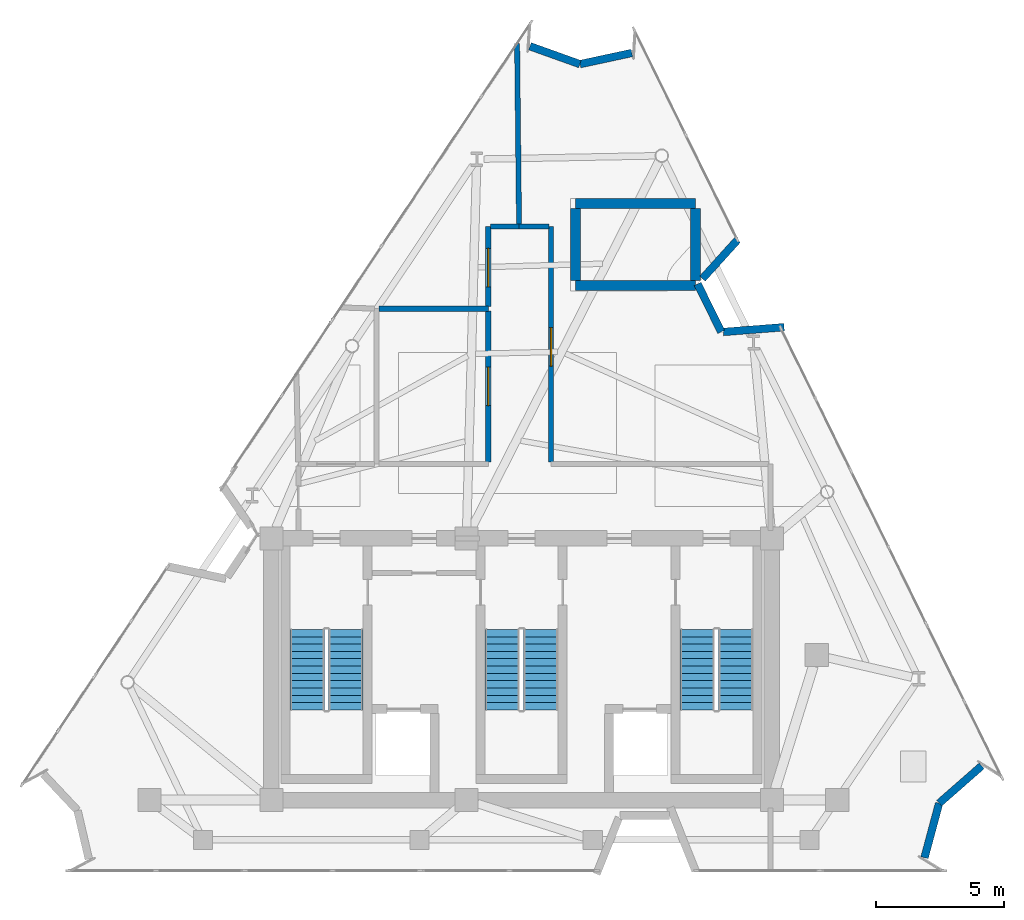
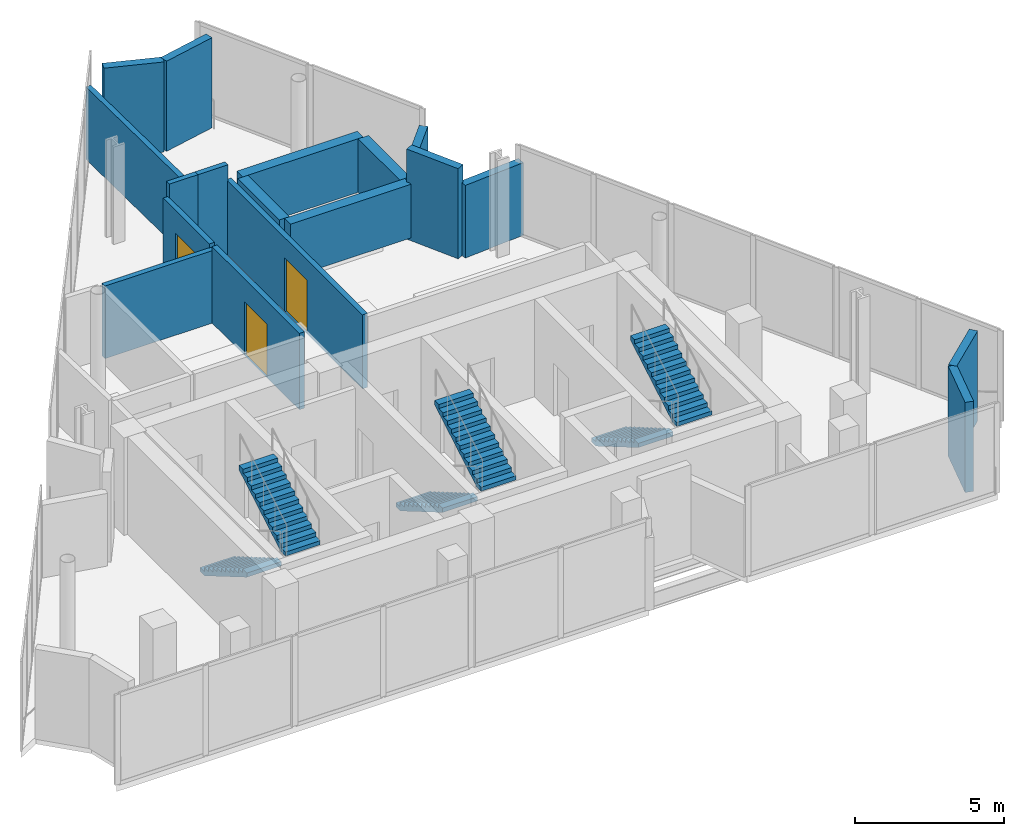
# One storey, part 7 of 9: 18 walls, 6 stair flights, 3 doors, 3 openings, 3 elements without a shape of their own.
"""IFC4 building model written with IfcOpenShell, lengths in metres."""

from ifc_helpers import new_model, si_unit, direction, frame, frame_2d, origin, place, context, subcontext, project, spatial, polyline, rectangle, outline, extrude, material, layer, layer_set, type_object, element, fill, aggregate, save


model = new_model("IFC4")

# Units and contexts
model_context = context("Model", 3, precision=1e-05, world=origin(), true_north=direction((0.0, 1.0)))
body_context = subcontext(model_context, "Body", "Model", "MODEL_VIEW")
ifc_project = project(units=[si_unit("LENGTHUNIT", "METRE"), si_unit("AREAUNIT", "SQUARE_METRE"), si_unit("VOLUMEUNIT", "CUBIC_METRE"), si_unit("PLANEANGLEUNIT", "RADIAN"), si_unit("MASSUNIT", "GRAM", prefix="KILO")], contexts=[model_context])

# Site, building, storey
site_placement = place(None, origin())
site = spatial("IfcSite", under=ifc_project, at=site_placement, CompositionType="ELEMENT")
building_placement = place(site_placement, origin())
building = spatial("IfcBuilding", under=site, at=building_placement, Name="Almagre Mirador Tower", CompositionType="ELEMENT")
storey_placement = place(building_placement, frame((0.0, 0.0, 306.5)))
storey = spatial("IfcBuildingStorey", under=building, at=storey_placement, Name="L79", CompositionType="ELEMENT", Elevation=306.5)

# Walls
ifc_material_1 = material(Name="Precast concrete C50/60", Category="concrete")
ifc_layer_1 = layer(ifc_material_1, 0.300048828125)
ifc_layer_set_1 = layer_set([ifc_layer_1], Name="Precast concrete C50/60")
wall_type_1 = type_object("IfcWallType", Name="WAL-EXT-300", PredefinedType="SOLIDWALL", material=ifc_layer_set_1)
wall_1_placement = place(storey_placement, frame((37.6240234375, 33.927490234375, 0.0), z_axis=(0.0, 0.0, 1.0), x_axis=(0.941672407687, -0.336530944493, 0.0)))
element("IfcWall", 1, at=wall_1_placement, inside=storey, type_object=wall_type_1, Name="L79 expressed almagre precast frame wall 04", PredefinedType="SOLIDWALL", context=body_context, shape_type="SweptSolid", body=[
    extrude(rectangle(XDim=2.06689453125, YDim=0.300048828125, at=frame_2d((1.033447265625, 0.0))), origin(), (0.0, 0.0, 1.0), 3.699951171875),
])
wall_2_placement = place(storey_placement, frame((39.57568359375, 33.231689453125, 0.0), z_axis=(0.0, 0.0, 1.0), x_axis=(0.977608338725, 0.210432735227, 0.0)))
element("IfcWall", 2, at=wall_2_placement, inside=storey, type_object=wall_type_1, Name="L79 expressed almagre precast frame wall 05", PredefinedType="SOLIDWALL", context=body_context, shape_type="SweptSolid", body=[
    extrude(rectangle(XDim=2.06640625, YDim=0.300048828125, at=frame_2d((1.033203125, 0.0))), origin(), (0.0, 0.0, 1.0), 3.699951171875),
])
wall_3_placement = place(storey_placement, frame((45.7119140625, 26.3798828125, 0.0), z_axis=(0.0, 0.0, 1.0), x_axis=(-0.670765663844, -0.741669349648, 0.0)))
element("IfcWall", 3, at=wall_3_placement, inside=storey, type_object=wall_type_1, Name="L79 expressed almagre precast frame wall 06", PredefinedType="SOLIDWALL", context=body_context, shape_type="SweptSolid", body=[
    extrude(rectangle(XDim=2.034912109375, YDim=0.300048828125, at=frame_2d((1.017578125, 0.0))), origin(), (0.0, 0.0, 1.0), 2.98193359375),
])
wall_4_placement = place(storey_placement, frame((44.159423828125, 24.6650390625, 0.0), z_axis=(0.0, 0.0, 1.0), x_axis=(0.441723189354, -0.897151394129, 0.0)))
element("IfcWall", 4, at=wall_4_placement, inside=storey, type_object=wall_type_1, Name="L79 expressed almagre precast frame wall 07", PredefinedType="SOLIDWALL", context=body_context, shape_type="SweptSolid", body=[
    extrude(rectangle(XDim=2.084228515625, YDim=0.300048828125, at=frame_2d((1.0419921875, 0.0))), origin(), (0.0, 0.0, 1.0), 3.699951171875),
])
wall_5_placement = place(storey_placement, frame((45.16455078125, 22.79541015625, 0.0), z_axis=(0.0, 0.0, 1.0), x_axis=(0.996933339495, 0.078255457345, 0.0)))
element("IfcWall", 5, at=wall_5_placement, inside=storey, type_object=wall_type_1, Name="L79 expressed almagre precast frame wall 08", PredefinedType="SOLIDWALL", context=body_context, shape_type="SweptSolid", body=[
    extrude(rectangle(XDim=2.37109375, YDim=0.300048828125, at=frame_2d((1.185546875, 0.0))), origin(), (0.0, 0.0, 1.0), 2.98193359375),
])
wall_6_placement = place(storey_placement, frame((55.227294921875, 5.884033203125, 0.0), z_axis=(0.0, 0.0, 1.0), x_axis=(-0.751785184768, -0.659408095161, 0.0)))
element("IfcWall", 6, at=wall_6_placement, inside=storey, type_object=wall_type_1, Name="L79 expressed almagre precast frame wall 09", PredefinedType="SOLIDWALL", context=body_context, shape_type="SweptSolid", body=[
    extrude(rectangle(XDim=2.198974609375, YDim=0.300048828125, at=frame_2d((1.099609375, 0.0))), origin(), (0.0, 0.0, 1.0), 3.699951171875),
])
wall_7_placement = place(storey_placement, frame((53.5712890625, 4.42919921875, 0.0), z_axis=(0.0, 0.0, 1.0), x_axis=(-0.259846037112, -0.965650059285, 0.0)))
element("IfcWall", 7, at=wall_7_placement, inside=storey, type_object=wall_type_1, Name="L79 expressed almagre precast frame wall 10", PredefinedType="SOLIDWALL", context=body_context, shape_type="SweptSolid", body=[
    extrude(rectangle(XDim=2.198486328125, YDim=0.300048828125, at=frame_2d((1.09912109375, 0.0))), origin(), (0.0, 0.0, 1.0), 3.699951171875),
])
ifc_material_2 = material(Name="Gypsum acoustic stud partition", Category="other")
ifc_layer_2 = layer(ifc_material_2, 0.199951171875)
ifc_layer_set_2 = layer_set([ifc_layer_2], Name="Gypsum acoustic stud partition")
wall_type_2 = type_object("IfcWallType", Name="WAL-PRT-200-EI60", PredefinedType="PARTITIONING", material=ifc_layer_set_2)
wall_8_placement = place(storey_placement, frame((36.0, 23.699951171875, 0.0), z_axis=(0.0, 0.0, 1.0), x_axis=(-1.0, 0.0, 0.0)))
element("IfcWall", 8, at=wall_8_placement, inside=storey, type_object=wall_type_2, Name="L79 interior partition 005", PredefinedType="PARTITIONING", context=body_context, shape_type="SweptSolid", body=[
    extrude(rectangle(XDim=4.264892578125, YDim=0.199951171875, at=frame_2d((2.13232421875, 0.0))), origin(), (0.0, 0.0, 1.0), 2.97705078125),
])

# Wall, opening, door
wall_9_placement = place(storey_placement, frame((36.0, 17.735107421875, 0.0), z_axis=(0.0, 0.0, 1.0), x_axis=(0.0, 1.0, 0.0)))
wall_9 = element("IfcWall", 9, at=wall_9_placement, inside=storey, type_object=wall_type_2, Name="L79 interior partition 007", PredefinedType="PARTITIONING", context=body_context, shape_type="SweptSolid", body=[
    extrude(rectangle(XDim=5.8798828125, YDim=0.199951171875, at=frame_2d((2.93994140625, 0.0))), origin(), (0.0, 0.0, 1.0), 3.136962890625),
])
opening_1_placement = place(wall_9_placement, frame((2.18994140625, 0.0, 0.0)))
opening_1 = element("IfcOpeningElement", 10, at=opening_1_placement, cuts=wall_9, Name="Opening ID-04", PredefinedType="OPENING", context=body_context, shape_type="SweptSolid", body=[
    extrude(rectangle(XDim=1.5, YDim=2.199951171875, at=frame_2d((0.75, 1.10009765625))), frame((0.0, 0.110098, 0.0), z_axis=(0.0, -1.0, 0.0), x_axis=(1.0, 0.0, 0.0)), (0.0, 0.0, 1.0), 0.219951),
])
ifc_material_3 = material(Name="Fire-rated hollow steel", Category="steel")
door_type = type_object("IfcDoorType", Name="DOR-FD60-1500X2200", OperationType="DOUBLE_DOOR_SINGLE_SWING", PredefinedType="DOOR", material=ifc_material_3)
door_1_placement = place(opening_1_placement, origin())
door_1 = element("IfcDoor", 11, at=door_1_placement, inside=storey, type_object=door_type, Name="DR-2324 L79 interior door L79-KPLT2 to L79-KCOR", OperationType="DOUBLE_DOOR_SINGLE_SWING", OverallHeight=2.199951171875, OverallWidth=1.5, PredefinedType="DOOR", context=body_context, shape_type="SweptSolid", body=[
    extrude(rectangle(XDim=1.5, YDim=2.199951171875, at=frame_2d((0.75, 1.10009765625))), frame((0.0, 0.02490234375, 0.0), z_axis=(0.0, -1.0, 0.0), x_axis=(1.0, 0.0, 0.0)), (0.0, 0.0, 1.0), 0.050048828125),
])
fill(opening_1, door_1)

wall_10_placement = place(storey_placement, frame((36.0, 23.784912109375, 0.0), z_axis=(0.0, 0.0, 1.0), x_axis=(0.0, 1.0, 0.0)))
wall_10 = element("IfcWall", 12, at=wall_10_placement, inside=storey, type_object=wall_type_2, Name="L79 interior partition 008", PredefinedType="PARTITIONING", context=body_context, shape_type="SweptSolid", body=[
    extrude(rectangle(XDim=3.114990234375, YDim=0.199951171875, at=frame_2d((1.5576171875, 0.0))), origin(), (0.0, 0.0, 1.0), 3.136962890625),
])
opening_2_placement = place(wall_10_placement, frame((0.764892578125, 0.0, 0.0)))
opening_2 = element("IfcOpeningElement", 13, at=opening_2_placement, cuts=wall_10, Name="Opening ID-04", PredefinedType="OPENING", context=body_context, shape_type="SweptSolid", body=[
    extrude(rectangle(XDim=1.5, YDim=2.199951171875, at=frame_2d((0.75, 1.10009765625))), frame((0.0, 0.110098, 0.0), z_axis=(0.0, -1.0, 0.0), x_axis=(1.0, 0.0, 0.0)), (0.0, 0.0, 1.0), 0.219951),
])
door_2_placement = place(opening_2_placement, origin())
door_2 = element("IfcDoor", 14, at=door_2_placement, inside=storey, type_object=door_type, Name="DR-2327 L79 interior door L79-KTLD to L79-KCOR", OperationType="DOUBLE_DOOR_SINGLE_SWING", OverallHeight=2.199951171875, OverallWidth=1.5, PredefinedType="DOOR", context=body_context, shape_type="SweptSolid", body=[
    extrude(rectangle(XDim=1.5, YDim=2.199951171875, at=frame_2d((0.75, 1.10009765625))), frame((0.0, 0.02490234375, 0.0), z_axis=(0.0, -1.0, 0.0), x_axis=(1.0, 0.0, 0.0)), (0.0, 0.0, 1.0), 0.050048828125),
])
fill(opening_2, door_2)

# Walls
wall_11_placement = place(storey_placement, frame((36.0849609375, 26.89990234375, 0.0), z_axis=(0.0, 0.0, 1.0), x_axis=(1.0, 0.0, 0.0)))
element("IfcWall", 15, at=wall_11_placement, inside=storey, type_object=wall_type_2, Name="L79 interior partition 009", PredefinedType="PARTITIONING", context=body_context, shape_type="SweptSolid", body=[
    extrude(rectangle(XDim=1.114990234375, YDim=0.199951171875, at=frame_2d((0.5576171875, 0.0))), origin(), (0.0, 0.0, 1.0), 3.699951171875),
])
wall_12_placement = place(storey_placement, frame((37.19921875, 26.985107421875, 0.0), z_axis=(0.0, 0.0, 1.0), x_axis=(-0.010656465563, 0.999943218259, 0.0)))
element("IfcWall", 16, at=wall_12_placement, inside=storey, type_object=wall_type_2, Name="L79 interior partition 010", PredefinedType="PARTITIONING", context=body_context, shape_type="SweptSolid", body=[
    extrude(rectangle(XDim=7.056396484375, YDim=0.199951171875, at=frame_2d((3.5283203125, 0.0))), origin(), (0.0, 0.0, 1.0), 2.97705078125),
])

# Wall, opening, door
wall_13_placement = place(storey_placement, frame((38.449951171875, 17.735107421875, 0.0), z_axis=(0.0, 0.0, 1.0), x_axis=(0.0, 1.0, 0.0)))
wall_13 = element("IfcWall", 17, at=wall_13_placement, inside=storey, type_object=wall_type_2, Name="L79 interior partition 016", PredefinedType="PARTITIONING", context=body_context, shape_type="SweptSolid", body=[
    extrude(rectangle(XDim=9.164794921875, YDim=0.199951171875, at=frame_2d((4.58251953125, 0.0))), origin(), (0.0, 0.0, 1.0), 3.034912109375),
])
opening_3_placement = place(wall_13_placement, frame((3.730712890625, 0.0, 0.0)))
opening_3 = element("IfcOpeningElement", 18, at=opening_3_placement, cuts=wall_13, Name="Opening ID-04", PredefinedType="OPENING", context=body_context, shape_type="SweptSolid", body=[
    extrude(rectangle(XDim=1.5, YDim=2.199951171875, at=frame_2d((0.75, 1.10009765625))), frame((0.0, 0.110098, 0.0), z_axis=(0.0, -1.0, 0.0), x_axis=(1.0, 0.0, 0.0)), (0.0, 0.0, 1.0), 0.219951),
])
door_3_placement = place(opening_3_placement, origin())
door_3 = element("IfcDoor", 19, at=door_3_placement, inside=storey, type_object=door_type, Name="DR-2326 L79 interior door L79-KCOR to L79-KPLT5", OperationType="DOUBLE_DOOR_SINGLE_SWING", OverallHeight=2.199951171875, OverallWidth=1.5, PredefinedType="DOOR", context=body_context, shape_type="SweptSolid", body=[
    extrude(rectangle(XDim=1.5, YDim=2.199951171875, at=frame_2d((0.75, 1.10009765625))), frame((0.0, 0.02490234375, 0.0), z_axis=(0.0, -1.0, 0.0), x_axis=(1.0, 0.0, 0.0)), (0.0, 0.0, 1.0), 0.050048828125),
])
fill(opening_3, door_3)

# Walls
wall_14_placement = place(storey_placement, frame((38.364990234375, 26.89990234375, 0.0), z_axis=(0.0, 0.0, 1.0), x_axis=(-1.0, 0.0, 0.0)))
element("IfcWall", 20, at=wall_14_placement, inside=storey, type_object=wall_type_2, Name="L79 interior partition 017", PredefinedType="PARTITIONING", context=body_context, shape_type="SweptSolid", body=[
    extrude(rectangle(XDim=1.1650390625, YDim=0.199951171875, at=frame_2d((0.58251953125, 0.0))), origin(), (0.0, 0.0, 1.0), 3.699951171875),
])
ifc_material_4 = material(Name="Concrete C50/60", Category="concrete")
ifc_layer_3 = layer(ifc_material_4, 0.39990234375)
ifc_layer_set_3 = layer_set([ifc_layer_3], Name="Concrete C50/60")
wall_type_3 = type_object("IfcWallType", Name="WAL-TLD-400", PredefinedType="SHEAR", material=ifc_layer_set_3)
for number, where, z_axis, x_axis, name in (
    (21, (39.39990234375, 24.60009765625, 0.14990234375), (0.0, 0.0, 1.0), (1.0, 0.0, 0.0), "L79 Crown Tuned Liquid Damper Tank Wall S"),
    (22, (39.39990234375, 27.800048828125, 0.14990234375), (0.0, 0.0, 1.0), (1.0, 0.0, 0.0), "L79 Crown Tuned Liquid Damper Tank Wall N"),
):
    element("IfcWall", number, at=place(storey_placement, frame(where, z_axis=z_axis, x_axis=x_axis)), inside=storey, type_object=wall_type_3, Name=name, PredefinedType="SHEAR", context=body_context, shape_type="SweptSolid", body=[
        extrude(rectangle(XDim=4.676025390625, YDim=0.39990234375, at=frame_2d((2.337890625, 0.0))), origin(), (0.0, 0.0, 1.0), 2.2001953125),
    ])
for number, where, z_axis, x_axis, name in (
    (23, (39.39990234375, 24.800048828125, 0.14990234375), (0.0, 0.0, 1.0), (0.0, 1.0, 0.0), "L79 Crown Tuned Liquid Damper Tank Wall W"),
    (24, (44.075927734375, 24.800048828125, 0.14990234375), (0.0, 0.0, 1.0), (0.0, 1.0, 0.0), "L79 Crown Tuned Liquid Damper Tank Wall E"),
):
    element("IfcWall", number, at=place(storey_placement, frame(where, z_axis=z_axis, x_axis=x_axis)), inside=storey, type_object=wall_type_3, Name=name, PredefinedType="SHEAR", context=body_context, shape_type="SweptSolid", body=[
        extrude(rectangle(XDim=2.800048828125, YDim=0.39990234375, at=frame_2d((1.39990234375, 0.0))), origin(), (0.0, 0.0, 1.0), 2.2001953125),
    ])

# Stair, stair flights
ifc_material_5 = material(Name="Concrete C45/55", Category="concrete")
stair_type = type_object("IfcStairType", Name="STR-DL-4000", PredefinedType="HALF_TURN_STAIR", material=ifc_material_5)
stair_1_placement = place(storey_placement, origin())
stair_1 = element("IfcStair", 25, at=stair_1_placement, inside=storey, type_object=stair_type, Name="L79 Protected exit stair ST-1", PredefinedType="HALF_TURN_STAIR")
ifc_material_6 = material(Name="Concrete C45/55", Category="concrete")
stair_flight_type = type_object("IfcStairFlightType", Name="FLT-DL-4000", PredefinedType="STRAIGHT", material=ifc_material_6)
stair_flight_1_placement = place(storey_placement, frame((28.949951171875, 11.199951171875, 0.0), z_axis=(0.0, 0.0, 1.0), x_axis=(0.0, -1.0, 0.0)))
stair_flight_1 = element("IfcStairFlight", 26, at=stair_flight_1_placement, type_object=stair_flight_type, Name="ST-1 flight 1", NumberOfRisers=12, NumberOfTreads=11, PredefinedType="STRAIGHT", RiserHeight=0.166666667, TreadLength=0.285, context=body_context, shape_type="SweptSolid", body=[
    extrude(outline(polyline([(0.0, 0.0), (0.0, 0.166748046875), (0.284912109375, 0.166748046875), (0.284912109375, 0.333251953125), (0.570068359375, 0.333251953125), (0.570068359375, 0.5), (0.85498046875, 0.5), (0.85498046875, 0.666748046875), (1.139892578125, 0.666748046875), (1.139892578125, 0.833251953125), (1.425048828125, 0.833251953125), (1.425048828125, 1.0), (1.7099609375, 1.0), (1.7099609375, 1.166748046875), (1.9951171875, 1.166748046875), (1.9951171875, 1.333251953125), (2.280029296875, 1.333251953125), (2.280029296875, 1.5), (2.56494140625, 1.5), (2.56494140625, 1.666748046875), (2.85009765625, 1.666748046875), (2.85009765625, 1.833251953125), (3.135009765625, 1.833251953125), (3.135009765625, 2.0), (3.135009765625, 1.65966796875), (0.296875, 0.0), (0.0, 0.0)])), frame((0.0, 0.675048828125, 0.0), z_axis=(0.0, -1.0, 0.0), x_axis=(1.0, 0.0, 0.0)), (0.0, 0.0, 1.0), 1.35009765625),
])
stair_flight_2_placement = place(storey_placement, frame((30.449951171875, 8.06494140625, 2.0), z_axis=(0.0, 0.0, 1.0), x_axis=(0.0, 1.0, 0.0)))
stair_flight_2 = element("IfcStairFlight", 27, at=stair_flight_2_placement, type_object=stair_flight_type, Name="ST-1 flight 2", NumberOfRisers=12, NumberOfTreads=11, PredefinedType="STRAIGHT", RiserHeight=0.166666667, TreadLength=0.285, context=body_context, shape_type="SweptSolid", body=[
    extrude(outline(polyline([(0.0, 0.0), (0.0, 0.166748046875), (0.284912109375, 0.166748046875), (0.284912109375, 0.333251953125), (0.570068359375, 0.333251953125), (0.570068359375, 0.5), (0.85498046875, 0.5), (0.85498046875, 0.666748046875), (1.139892578125, 0.666748046875), (1.139892578125, 0.833251953125), (1.425048828125, 0.833251953125), (1.425048828125, 1.0), (1.7099609375, 1.0), (1.7099609375, 1.166748046875), (1.9951171875, 1.166748046875), (1.9951171875, 1.333251953125), (2.280029296875, 1.333251953125), (2.280029296875, 1.5), (2.56494140625, 1.5), (2.56494140625, 1.666748046875), (2.85009765625, 1.666748046875), (2.85009765625, 1.833251953125), (3.135009765625, 1.833251953125), (3.135009765625, 2.0), (3.135009765625, 1.65966796875), (0.296875, 0.0), (0.0, 0.0)])), frame((0.0, 0.675048828125, 0.0), z_axis=(0.0, -1.0, 0.0), x_axis=(1.0, 0.0, 0.0)), (0.0, 0.0, 1.0), 1.35009765625),
])
aggregate(stair_1, [stair_flight_1, stair_flight_2])

stair_2_placement = place(storey_placement, origin())
stair_2 = element("IfcStair", 28, at=stair_2_placement, inside=storey, type_object=stair_type, Name="L79 Protected exit stair ST-2", PredefinedType="HALF_TURN_STAIR")
stair_flight_3_placement = place(storey_placement, frame((36.550048828125, 11.199951171875, 0.0), z_axis=(0.0, 0.0, 1.0), x_axis=(0.0, -1.0, 0.0)))
stair_flight_3 = element("IfcStairFlight", 29, at=stair_flight_3_placement, type_object=stair_flight_type, Name="ST-2 flight 1", NumberOfRisers=12, NumberOfTreads=11, PredefinedType="STRAIGHT", RiserHeight=0.166666667, TreadLength=0.285, context=body_context, shape_type="SweptSolid", body=[
    extrude(outline(polyline([(0.0, 0.0), (0.0, 0.166748046875), (0.284912109375, 0.166748046875), (0.284912109375, 0.333251953125), (0.570068359375, 0.333251953125), (0.570068359375, 0.5), (0.85498046875, 0.5), (0.85498046875, 0.666748046875), (1.139892578125, 0.666748046875), (1.139892578125, 0.833251953125), (1.425048828125, 0.833251953125), (1.425048828125, 1.0), (1.7099609375, 1.0), (1.7099609375, 1.166748046875), (1.9951171875, 1.166748046875), (1.9951171875, 1.333251953125), (2.280029296875, 1.333251953125), (2.280029296875, 1.5), (2.56494140625, 1.5), (2.56494140625, 1.666748046875), (2.85009765625, 1.666748046875), (2.85009765625, 1.833251953125), (3.135009765625, 1.833251953125), (3.135009765625, 2.0), (3.135009765625, 1.65966796875), (0.296875, 0.0), (0.0, 0.0)])), frame((0.0, 0.675048828125, 0.0), z_axis=(0.0, -1.0, 0.0), x_axis=(1.0, 0.0, 0.0)), (0.0, 0.0, 1.0), 1.35009765625),
])
stair_flight_4_placement = place(storey_placement, frame((38.050048828125, 8.06494140625, 2.0), z_axis=(0.0, 0.0, 1.0), x_axis=(0.0, 1.0, 0.0)))
stair_flight_4 = element("IfcStairFlight", 30, at=stair_flight_4_placement, type_object=stair_flight_type, Name="ST-2 flight 2", NumberOfRisers=12, NumberOfTreads=11, PredefinedType="STRAIGHT", RiserHeight=0.166666667, TreadLength=0.285, context=body_context, shape_type="SweptSolid", body=[
    extrude(outline(polyline([(0.0, 0.0), (0.0, 0.166748046875), (0.284912109375, 0.166748046875), (0.284912109375, 0.333251953125), (0.570068359375, 0.333251953125), (0.570068359375, 0.5), (0.85498046875, 0.5), (0.85498046875, 0.666748046875), (1.139892578125, 0.666748046875), (1.139892578125, 0.833251953125), (1.425048828125, 0.833251953125), (1.425048828125, 1.0), (1.7099609375, 1.0), (1.7099609375, 1.166748046875), (1.9951171875, 1.166748046875), (1.9951171875, 1.333251953125), (2.280029296875, 1.333251953125), (2.280029296875, 1.5), (2.56494140625, 1.5), (2.56494140625, 1.666748046875), (2.85009765625, 1.666748046875), (2.85009765625, 1.833251953125), (3.135009765625, 1.833251953125), (3.135009765625, 2.0), (3.135009765625, 1.65966796875), (0.296875, 0.0), (0.0, 0.0)])), frame((0.0, 0.675048828125, 0.0), z_axis=(0.0, -1.0, 0.0), x_axis=(1.0, 0.0, 0.0)), (0.0, 0.0, 1.0), 1.35009765625),
])
aggregate(stair_2, [stair_flight_3, stair_flight_4])

stair_3_placement = place(storey_placement, origin())
stair_3 = element("IfcStair", 31, at=stair_3_placement, inside=storey, type_object=stair_type, Name="L79 Protected exit stair ST-3", PredefinedType="HALF_TURN_STAIR")
stair_flight_5_placement = place(storey_placement, frame((44.14990234375, 11.199951171875, 0.0), z_axis=(0.0, 0.0, 1.0), x_axis=(0.0, -1.0, 0.0)))
stair_flight_5 = element("IfcStairFlight", 32, at=stair_flight_5_placement, type_object=stair_flight_type, Name="ST-3 flight 1", NumberOfRisers=12, NumberOfTreads=11, PredefinedType="STRAIGHT", RiserHeight=0.166666667, TreadLength=0.285, context=body_context, shape_type="SweptSolid", body=[
    extrude(outline(polyline([(0.0, 0.0), (0.0, 0.166748046875), (0.284912109375, 0.166748046875), (0.284912109375, 0.333251953125), (0.570068359375, 0.333251953125), (0.570068359375, 0.5), (0.85498046875, 0.5), (0.85498046875, 0.666748046875), (1.139892578125, 0.666748046875), (1.139892578125, 0.833251953125), (1.425048828125, 0.833251953125), (1.425048828125, 1.0), (1.7099609375, 1.0), (1.7099609375, 1.166748046875), (1.9951171875, 1.166748046875), (1.9951171875, 1.333251953125), (2.280029296875, 1.333251953125), (2.280029296875, 1.5), (2.56494140625, 1.5), (2.56494140625, 1.666748046875), (2.85009765625, 1.666748046875), (2.85009765625, 1.833251953125), (3.135009765625, 1.833251953125), (3.135009765625, 2.0), (3.135009765625, 1.65966796875), (0.296875, 0.0), (0.0, 0.0)])), frame((0.0, 0.675048828125, 0.0), z_axis=(0.0, -1.0, 0.0), x_axis=(1.0, 0.0, 0.0)), (0.0, 0.0, 1.0), 1.35009765625),
])
stair_flight_6_placement = place(storey_placement, frame((45.64990234375, 8.06494140625, 2.0), z_axis=(0.0, 0.0, 1.0), x_axis=(0.0, 1.0, 0.0)))
stair_flight_6 = element("IfcStairFlight", 33, at=stair_flight_6_placement, type_object=stair_flight_type, Name="ST-3 flight 2", NumberOfRisers=12, NumberOfTreads=11, PredefinedType="STRAIGHT", RiserHeight=0.166666667, TreadLength=0.285, context=body_context, shape_type="SweptSolid", body=[
    extrude(outline(polyline([(0.0, 0.0), (0.0, 0.166748046875), (0.284912109375, 0.166748046875), (0.284912109375, 0.333251953125), (0.570068359375, 0.333251953125), (0.570068359375, 0.5), (0.85498046875, 0.5), (0.85498046875, 0.666748046875), (1.139892578125, 0.666748046875), (1.139892578125, 0.833251953125), (1.425048828125, 0.833251953125), (1.425048828125, 1.0), (1.7099609375, 1.0), (1.7099609375, 1.166748046875), (1.9951171875, 1.166748046875), (1.9951171875, 1.333251953125), (2.280029296875, 1.333251953125), (2.280029296875, 1.5), (2.56494140625, 1.5), (2.56494140625, 1.666748046875), (2.85009765625, 1.666748046875), (2.85009765625, 1.833251953125), (3.135009765625, 1.833251953125), (3.135009765625, 2.0), (3.135009765625, 1.65966796875), (0.296875, 0.0), (0.0, 0.0)])), frame((0.0, 0.675048828125, 0.0), z_axis=(0.0, -1.0, 0.0), x_axis=(1.0, 0.0, 0.0)), (0.0, 0.0, 1.0), 1.35009765625),
])
aggregate(stair_3, [stair_flight_5, stair_flight_6])

save(model, "model.ifc")
